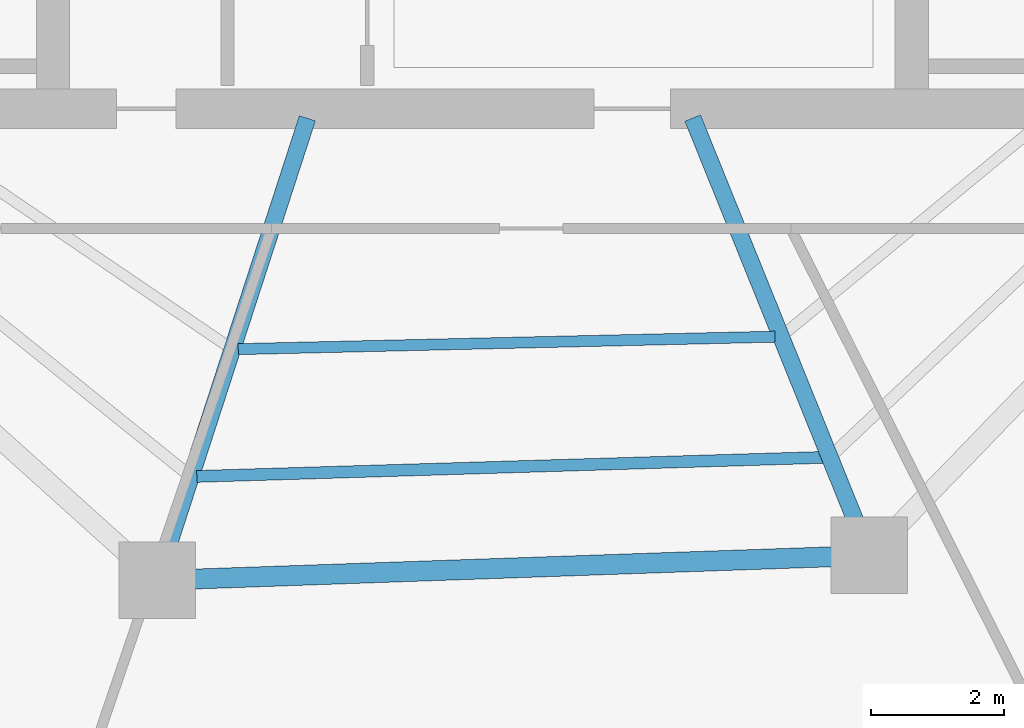
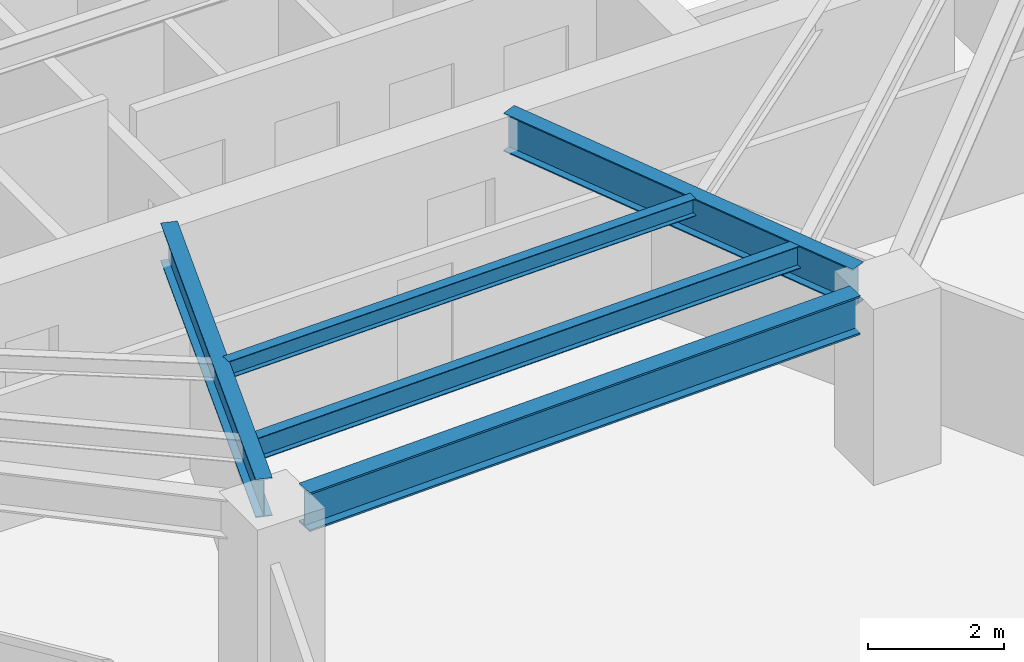
# One storey, part 5 of 30: 5 beams.
"""IFC4 building model written with IfcOpenShell, lengths in metres."""

from ifc_helpers import new_model, si_unit, direction, frame, origin, origin_2d, place, context, subcontext, project, spatial, i_section, extrude, material, material_profile, profile_set, type_object, element, save


model = new_model("IFC4")

# Units and contexts
model_context = context("Model", 3, precision=1e-05, world=origin(), true_north=direction((0.0, 1.0)))
body_context = subcontext(model_context, "Body", "Model", "MODEL_VIEW")
ifc_project = project(units=[si_unit("LENGTHUNIT", "METRE"), si_unit("AREAUNIT", "SQUARE_METRE"), si_unit("VOLUMEUNIT", "CUBIC_METRE"), si_unit("PLANEANGLEUNIT", "RADIAN"), si_unit("MASSUNIT", "GRAM", prefix="KILO")], contexts=[model_context])

# Site, building, storey
site_placement = place(None, origin())
site = spatial("IfcSite", under=ifc_project, at=site_placement, CompositionType="ELEMENT")
building_placement = place(site_placement, origin())
building = spatial("IfcBuilding", under=site, at=building_placement, Name="Qarnah Convention Tower", CompositionType="ELEMENT")
storey_placement = place(building_placement, frame((0.0, 0.0, 90.14990234375)))
storey = spatial("IfcBuildingStorey", under=building, at=storey_placement, Name="L23", CompositionType="ELEMENT", Elevation=90.14990234375)

# Beams
ifc_material = material(Name="Structural steel S355JR", Category="steel")
ifc_material_profile_1 = material_profile(ifc_material, i_section(OverallWidth=0.166015625, OverallDepth=0.31201171875, WebThickness=0.007080078125, FlangeThickness=0.010986328125, at=origin_2d()), Name="W310X45")
ifc_profile_set_1 = profile_set([ifc_material_profile_1], Name="Structural steel S355JR")
beam_type_1 = type_object("IfcBeamType", Name="BM-JST-W310", PredefinedType="JOIST", material=ifc_profile_set_1)
beam_1_placement = place(storey_placement, frame((33.58203125, 14.989013671875, 3.01416015625), z_axis=(0.999731131199, 0.02318761117, 0.0), x_axis=(-0.02318761117, 0.999731131199, 0.0)))
element("IfcBeam", 1, at=beam_1_placement, inside=storey, type_object=beam_type_1, Name="L23 joist BM-L23-IJST-07", PredefinedType="JOIST", context=body_context, shape_type="SweptSolid", body=[
    extrude(i_section(OverallWidth=0.166015625, OverallDepth=0.31201171875, WebThickness=0.007080078125, FlangeThickness=0.010986328125, at=origin_2d()), origin(), (0.0, 0.0, 1.0), 8.065185546875),
])
ifc_material_profile_2 = material_profile(ifc_material, i_section(OverallWidth=0.177978515625, OverallDepth=0.407958984375, WebThickness=0.008056640625, FlangeThickness=0.012939453125, at=origin_2d()), Name="W410X60")
ifc_profile_set_2 = profile_set([ifc_material_profile_2], Name="Structural steel S355JR")
beam_type_2 = type_object("IfcBeamType", Name="BM-JST-W410", PredefinedType="JOIST", material=ifc_profile_set_2)
beam_2_placement = place(storey_placement, frame((32.9599609375, 13.076904296875, 2.966064453125), z_axis=(0.999538703327, 0.030370718664, 0.0), x_axis=(-0.030370718664, 0.999538703327, 0.0)))
element("IfcBeam", 2, at=beam_2_placement, inside=storey, type_object=beam_type_2, Name="L23 joist BM-L23-SJST-07", PredefinedType="JOIST", context=body_context, shape_type="SweptSolid", body=[
    extrude(i_section(OverallWidth=0.177978515625, OverallDepth=0.407958984375, WebThickness=0.008056640625, FlangeThickness=0.012939453125, at=origin_2d()), origin(), (0.0, 0.0, 1.0), 9.42138671875),
])
ifc_material_profile_3 = material_profile(ifc_material, i_section(OverallWidth=0.25390625, OverallDepth=0.68798828125, WebThickness=0.012939453125, FlangeThickness=0.02099609375, at=origin_2d()), Name="W690X152")
ifc_profile_set_3 = profile_set([ifc_material_profile_3], Name="Structural steel S355JR")
beam_type_3 = type_object("IfcBeamType", Name="BM-RAD-W690", PredefinedType="BEAM", material=ifc_profile_set_3)
beam_3_placement = place(storey_placement, frame((34.6201171875, 18.45703125, 2.826171875), z_axis=(-0.30908279771, -0.951035132979, 0.0), x_axis=(0.951035132979, -0.30908279771, 0.0)))
element("IfcBeam", 3, at=beam_3_placement, inside=storey, type_object=beam_type_3, Name="L23 beam BM-L23-RAD-07", PredefinedType="BEAM", context=body_context, shape_type="SweptSolid", body=[
    extrude(i_section(OverallWidth=0.25390625, OverallDepth=0.68798828125, WebThickness=0.012939453125, FlangeThickness=0.02099609375, at=origin_2d()), origin(), (0.0, 0.0, 1.0), 6.7431640625),
])
beam_4_placement = place(storey_placement, frame((40.407958984375, 18.4609375, 2.826171875), z_axis=(0.374642886347, -0.927169190445, 0.0), x_axis=(0.927169190445, 0.374642886347, 0.0)))
element("IfcBeam", 4, at=beam_4_placement, inside=storey, type_object=beam_type_3, Name="L23 beam BM-L23-RAD-08", PredefinedType="BEAM", context=body_context, shape_type="SweptSolid", body=[
    extrude(i_section(OverallWidth=0.25390625, OverallDepth=0.68798828125, WebThickness=0.012939453125, FlangeThickness=0.02099609375, at=origin_2d()), origin(), (0.0, 0.0, 1.0), 6.531494140625),
])
ifc_material_profile_4 = material_profile(ifc_material, i_section(OverallWidth=0.300048828125, OverallDepth=0.699951171875, WebThickness=0.01708984375, FlangeThickness=0.031982421875, at=origin_2d()), Name="HEB700")
ifc_profile_set_4 = profile_set([ifc_material_profile_4], Name="Structural steel S355JR")
beam_type_4 = type_object("IfcBeamType", Name="BM-RING-HEB700", PredefinedType="BEAM", material=ifc_profile_set_4)
beam_5_placement = place(storey_placement, frame((32.928955078125, 11.535888671875, 2.820068359375), z_axis=(0.999390577592, 0.03490663862, 0.0), x_axis=(-0.03490663862, 0.999390577592, 0.0)))
element("IfcBeam", 5, at=beam_5_placement, inside=storey, type_object=beam_type_4, Name="L23 beam BM-L23-SPN-07", PredefinedType="BEAM", context=body_context, shape_type="SweptSolid", body=[
    extrude(i_section(OverallWidth=0.300048828125, OverallDepth=0.699951171875, WebThickness=0.01708984375, FlangeThickness=0.031982421875, at=origin_2d()), origin(), (0.0, 0.0, 1.0), 9.574951171875),
])

save(model, "model.ifc")
